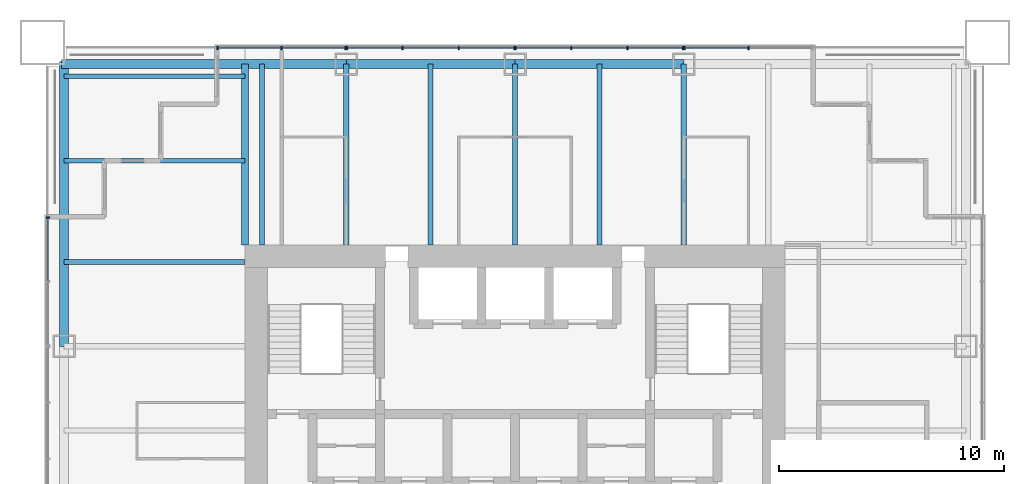
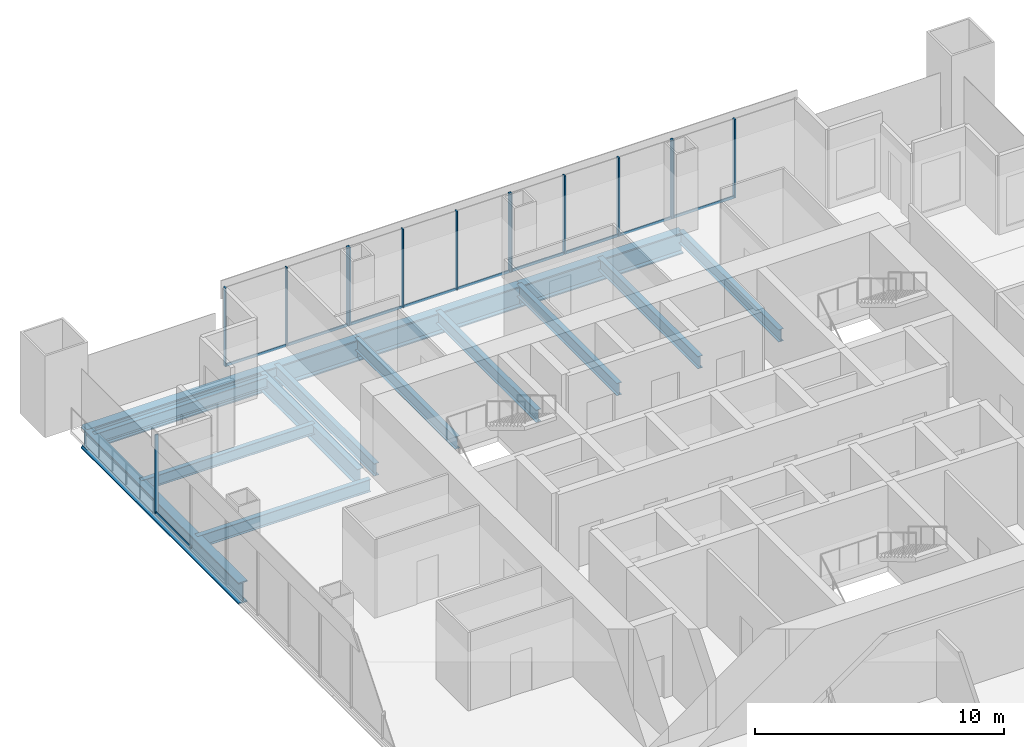
# One storey, part 6 of 14: 24 members, 14 beams, 5 elements without a shape of their own.
"""IFC4 building model written with IfcOpenShell, lengths in metres."""

from ifc_helpers import new_model, si_unit, direction, frame, origin, origin_2d, place, context, subcontext, project, spatial, rectangle, i_section, extrude, material, material_profile, profile_set, type_object, element, aggregate, save


model = new_model("IFC4")

# Units and contexts
model_context = context("Model", 3, precision=1e-05, world=origin(), true_north=direction((0.0, 1.0)))
body_context = subcontext(model_context, "Body", "Model", "MODEL_VIEW")
ifc_project = project(units=[si_unit("LENGTHUNIT", "METRE"), si_unit("AREAUNIT", "SQUARE_METRE"), si_unit("VOLUMEUNIT", "CUBIC_METRE"), si_unit("PLANEANGLEUNIT", "RADIAN"), si_unit("MASSUNIT", "GRAM", prefix="KILO")], contexts=[model_context])

# Site, building, storey
site_placement = place(None, origin())
site = spatial("IfcSite", under=ifc_project, at=site_placement, CompositionType="ELEMENT")
building_placement = place(site_placement, origin())
building = spatial("IfcBuilding", under=site, at=building_placement, Name="Tarangal Relay Tower", CompositionType="ELEMENT")
storey_placement = place(building_placement, frame((0.0, 0.0, 291.89990234375)))
storey = spatial("IfcBuildingStorey", under=building, at=storey_placement, Name="L64", CompositionType="ELEMENT", Elevation=291.89990234375)

# Beams
ifc_material_1 = material(Name="Steel ASTM A992", Category="steel")
ifc_material_profile_1 = material_profile(ifc_material_1, i_section(OverallWidth=0.209228515625, OverallDepth=0.533447265625, WebThickness=0.01025390625, FlangeThickness=0.015625, at=origin_2d()), Name="W21X62")
ifc_profile_set_1 = profile_set([ifc_material_profile_1], Name="Steel ASTM A992")
beam_type_1 = type_object("IfcBeamType", Name="Corner beam W21X62", PredefinedType="JOIST", material=ifc_profile_set_1)
for number, where, z_axis, x_axis, name in (
    (1, (-12.0, 15.75, -0.41650390625), (-1.0, 0.0, 0.0), (0.0, -1.0, 0.0), "Corner beam CB12 W L64"),
    (2, (-12.0, 19.5, -0.41650390625), (-1.0, 0.0, 0.0), (0.0, -1.0, 0.0), "Corner beam CB12 W L64"),
):
    element("IfcBeam", number, at=place(storey_placement, frame(where, z_axis=z_axis, x_axis=x_axis)), inside=storey, type_object=beam_type_1, Name=name, PredefinedType="JOIST", context=body_context, shape_type="SweptSolid", body=[
        extrude(i_section(OverallWidth=0.209228515625, OverallDepth=0.533447265625, WebThickness=0.01025390625, FlangeThickness=0.015625, at=origin_2d()), origin(), (0.0, 0.0, 1.0), 8.0400390625),
    ])
ifc_material_profile_2 = material_profile(ifc_material_1, i_section(OverallWidth=0.2919921875, OverallDepth=0.8408203125, WebThickness=0.0146484375, FlangeThickness=0.021728515625, at=origin_2d()), Name="W33X130")
ifc_profile_set_2 = profile_set([ifc_material_profile_2], Name="Steel ASTM A992")
beam_type_2 = type_object("IfcBeamType", Name="Corner girder W33X130", PredefinedType="BEAM", material=ifc_profile_set_2)
beam_1_placement = place(storey_placement, frame((-12.0, 12.0, -0.5703125), z_axis=(0.0, 1.0, 0.0), x_axis=(-1.0, 0.0, 0.0)))
element("IfcBeam", 3, at=beam_1_placement, inside=storey, type_object=beam_type_2, Name="Corner girder CG5 W L64", PredefinedType="BEAM", context=body_context, shape_type="SweptSolid", body=[
    extrude(i_section(OverallWidth=0.2919921875, OverallDepth=0.8408203125, WebThickness=0.0146484375, FlangeThickness=0.021728515625, at=origin_2d()), origin(), (0.0, 0.0, 1.0), 8.0400390625),
])
ifc_material_profile_3 = material_profile(ifc_material_1, i_section(OverallWidth=0.41162109375, OverallDepth=1.049072265625, WebThickness=0.033935546875, FlangeThickness=0.059814453125, at=origin_2d()), Name="W40X431")
ifc_profile_set_3 = profile_set([ifc_material_profile_3], Name="Steel ASTM A992")
beam_type_3 = type_object("IfcBeamType", Name="Edge girder W40X431", PredefinedType="SPANDREL", material=ifc_profile_set_3)
beam_2_placement = place(storey_placement, frame((-20.14990234375, 20.0400390625, -0.67431640625), z_axis=(1.0, 0.0, 0.0), x_axis=(0.0, 1.0, 0.0)))
element("IfcBeam", 4, at=beam_2_placement, inside=storey, type_object=beam_type_3, Name="Edge girder EG1 N L64", PredefinedType="SPANDREL", context=body_context, shape_type="SweptSolid", body=[
    extrude(i_section(OverallWidth=0.41162109375, OverallDepth=1.049072265625, WebThickness=0.033935546875, FlangeThickness=0.059814453125, at=origin_2d()), origin(), (0.0, 0.0, 1.0), 12.64990234375),
])
for number, where, z_axis, x_axis, name in (
    (5, (-7.5, 20.0400390625, -0.67431640625), (1.0, 0.0, 0.0), (0.0, 1.0, 0.0), "Edge girder EG1 N L64"),
    (6, (0.0, 20.0400390625, -0.67431640625), (1.0, 0.0, 0.0), (0.0, 1.0, 0.0), "Edge girder EG1 N L64"),
):
    element("IfcBeam", number, at=place(storey_placement, frame(where, z_axis=z_axis, x_axis=x_axis)), inside=storey, type_object=beam_type_3, Name=name, PredefinedType="SPANDREL", context=body_context, shape_type="SweptSolid", body=[
        extrude(i_section(OverallWidth=0.41162109375, OverallDepth=1.049072265625, WebThickness=0.033935546875, FlangeThickness=0.059814453125, at=origin_2d()), origin(), (0.0, 0.0, 1.0), 7.5),
    ])
beam_3_placement = place(storey_placement, frame((-20.0400390625, 7.5, -0.67431640625), z_axis=(0.0, 1.0, 0.0), x_axis=(-1.0, 0.0, 0.0)))
element("IfcBeam", 7, at=beam_3_placement, inside=storey, type_object=beam_type_3, Name="Edge girder EG1 W L64", PredefinedType="SPANDREL", context=body_context, shape_type="SweptSolid", body=[
    extrude(i_section(OverallWidth=0.41162109375, OverallDepth=1.049072265625, WebThickness=0.033935546875, FlangeThickness=0.059814453125, at=origin_2d()), origin(), (0.0, 0.0, 1.0), 12.64990234375),
])
ifc_material_profile_4 = material_profile(ifc_material_1, i_section(OverallWidth=0.228271484375, OverallDepth=0.607177734375, WebThickness=0.01123046875, FlangeThickness=0.017333984375, at=origin_2d()), Name="W24X76")
ifc_profile_set_4 = profile_set([ifc_material_profile_4], Name="Steel ASTM A992")
beam_type_4 = type_object("IfcBeamType", Name="Floor beam W24X76", PredefinedType="BEAM", material=ifc_profile_set_4)
for number, where, z_axis, x_axis, name in (
    (8, (-11.25, 12.0, -0.453369140625), (0.0, 1.0, 0.0), (-1.0, 0.0, 0.0), "Floor beam RB5 N L64"),
    (9, (-7.5, 12.0, -0.453369140625), (0.0, 1.0, 0.0), (-1.0, 0.0, 0.0), "Floor beam RB5 N L64"),
    (10, (-3.75, 12.0, -0.453369140625), (0.0, 1.0, 0.0), (-1.0, 0.0, 0.0), "Floor beam RB5 N L64"),
    (11, (0.0, 12.0, -0.453369140625), (0.0, 1.0, 0.0), (-1.0, 0.0, 0.0), "Floor beam RB5 N L64"),
    (12, (3.75, 12.0, -0.453369140625), (0.0, 1.0, 0.0), (-1.0, 0.0, 0.0), "Floor beam RB5 N L64"),
    (13, (7.5, 12.0, -0.453369140625), (0.0, 1.0, 0.0), (-1.0, 0.0, 0.0), "Floor beam RB5 N L64"),
    (14, (-12.0, 11.25, -0.453369140625), (-1.0, 0.0, 0.0), (0.0, -1.0, 0.0), "Floor beam RB5 W L64"),
):
    element("IfcBeam", number, at=place(storey_placement, frame(where, z_axis=z_axis, x_axis=x_axis)), inside=storey, type_object=beam_type_4, Name=name, PredefinedType="BEAM", context=body_context, shape_type="SweptSolid", body=[
        extrude(i_section(OverallWidth=0.228271484375, OverallDepth=0.607177734375, WebThickness=0.01123046875, FlangeThickness=0.017333984375, at=origin_2d()), origin(), (0.0, 0.0, 1.0), 8.0400390625),
    ])

# Curtain wall, members
ifc_material_2 = material(Name="Unitised curtain wall, dark glass and black aluminium", Category="aluminium")
curtain_wall_type = type_object("IfcCurtainWallType", Name="Curtain wall CW-B", PredefinedType="USERDEFINED", material=ifc_material_2)
curtain_wall_1_placement = place(storey_placement, origin())
curtain_wall_1 = element("IfcCurtainWall", 15, at=curtain_wall_1_placement, inside=storey, type_object=curtain_wall_type, Name="Curtain wall CW-B N facade L64", ObjectType="UNITISED CURTAIN WALL", PredefinedType="USERDEFINED")
ifc_material_3 = material(Name="Black anodised aluminium mullion", Category="aluminium")
ifc_material_profile_5 = material_profile(ifc_material_3, rectangle(XDim=0.159912109375, YDim=0.06005859375, at=origin_2d()), Name="CW-BM 60X160")
ifc_profile_set_5 = profile_set([ifc_material_profile_5], Name="Black anodised aluminium mullion")
member_type_1 = type_object("IfcMemberType", Name="Mullion CW-B 60 x 160", PredefinedType="MULLION", material=ifc_profile_set_5)
member_1_placement = place(storey_placement, frame((-13.219970703125, 20.75, 0.0), z_axis=(0.0, 0.0, 1.0), x_axis=(0.0, 1.0, 0.0)))
member_1 = element("IfcMember", 16, at=member_1_placement, type_object=member_type_1, Name="CW-B mullion 1", PredefinedType="MULLION", context=body_context, shape_type="SweptSolid", body=[
    extrude(rectangle(XDim=0.159912109375, YDim=0.06005859375, at=origin_2d()), origin(), (0.0, 0.0, 1.0), 3.85009765625),
])
member_2_placement = place(storey_placement, frame((-10.375, 20.75, 0.0), z_axis=(0.0, 0.0, 1.0), x_axis=(0.0, 1.0, 0.0)))
member_2 = element("IfcMember", 17, at=member_2_placement, type_object=member_type_1, Name="CW-B mullion 2", PredefinedType="MULLION", context=body_context, shape_type="SweptSolid", body=[
    extrude(rectangle(XDim=0.159912109375, YDim=0.06005859375, at=origin_2d()), origin(), (0.0, 0.0, 1.0), 3.85009765625),
])
member_3_placement = place(storey_placement, frame((-7.530029296875, 20.75, 0.0), z_axis=(0.0, 0.0, 1.0), x_axis=(0.0, 1.0, 0.0)))
member_3 = element("IfcMember", 18, at=member_3_placement, type_object=member_type_1, Name="CW-B mullion 3", PredefinedType="MULLION", context=body_context, shape_type="SweptSolid", body=[
    extrude(rectangle(XDim=0.159912109375, YDim=0.06005859375, at=origin_2d()), origin(), (0.0, 0.0, 1.0), 3.85009765625),
])

curtain_wall_2_placement = place(storey_placement, origin())
curtain_wall_2 = element("IfcCurtainWall", 19, at=curtain_wall_2_placement, inside=storey, type_object=curtain_wall_type, Name="Curtain wall CW-B N facade L64", ObjectType="UNITISED CURTAIN WALL", PredefinedType="USERDEFINED")
member_4_placement = place(storey_placement, frame((-7.469970703125, 20.75, 0.0), z_axis=(0.0, 0.0, 1.0), x_axis=(0.0, 1.0, 0.0)))
member_4 = element("IfcMember", 20, at=member_4_placement, type_object=member_type_1, Name="CW-B mullion 1", PredefinedType="MULLION", context=body_context, shape_type="SweptSolid", body=[
    extrude(rectangle(XDim=0.159912109375, YDim=0.06005859375, at=origin_2d()), origin(), (0.0, 0.0, 1.0), 3.85009765625),
])
member_5_placement = place(storey_placement, frame((-5.0, 20.75, 0.0), z_axis=(0.0, 0.0, 1.0), x_axis=(0.0, 1.0, 0.0)))
member_5 = element("IfcMember", 21, at=member_5_placement, type_object=member_type_1, Name="CW-B mullion 2", PredefinedType="MULLION", context=body_context, shape_type="SweptSolid", body=[
    extrude(rectangle(XDim=0.159912109375, YDim=0.06005859375, at=origin_2d()), origin(), (0.0, 0.0, 1.0), 3.85009765625),
])
member_6_placement = place(storey_placement, frame((-2.5, 20.75, 0.0), z_axis=(0.0, 0.0, 1.0), x_axis=(0.0, 1.0, 0.0)))
member_6 = element("IfcMember", 22, at=member_6_placement, type_object=member_type_1, Name="CW-B mullion 3", PredefinedType="MULLION", context=body_context, shape_type="SweptSolid", body=[
    extrude(rectangle(XDim=0.159912109375, YDim=0.06005859375, at=origin_2d()), origin(), (0.0, 0.0, 1.0), 3.85009765625),
])
member_7_placement = place(storey_placement, frame((-0.030029296875, 20.75, 0.0), z_axis=(0.0, 0.0, 1.0), x_axis=(0.0, 1.0, 0.0)))
member_7 = element("IfcMember", 23, at=member_7_placement, type_object=member_type_1, Name="CW-B mullion 4", PredefinedType="MULLION", context=body_context, shape_type="SweptSolid", body=[
    extrude(rectangle(XDim=0.159912109375, YDim=0.06005859375, at=origin_2d()), origin(), (0.0, 0.0, 1.0), 3.85009765625),
])

curtain_wall_3_placement = place(storey_placement, origin())
curtain_wall_3 = element("IfcCurtainWall", 24, at=curtain_wall_3_placement, inside=storey, type_object=curtain_wall_type, Name="Curtain wall CW-B N facade L64", ObjectType="UNITISED CURTAIN WALL", PredefinedType="USERDEFINED")
member_8_placement = place(storey_placement, frame((0.030029296875, 20.75, 0.0), z_axis=(0.0, 0.0, 1.0), x_axis=(0.0, 1.0, 0.0)))
member_8 = element("IfcMember", 25, at=member_8_placement, type_object=member_type_1, Name="CW-B mullion 1", PredefinedType="MULLION", context=body_context, shape_type="SweptSolid", body=[
    extrude(rectangle(XDim=0.159912109375, YDim=0.06005859375, at=origin_2d()), origin(), (0.0, 0.0, 1.0), 3.85009765625),
])
member_9_placement = place(storey_placement, frame((2.5, 20.75, 0.0), z_axis=(0.0, 0.0, 1.0), x_axis=(0.0, 1.0, 0.0)))
member_9 = element("IfcMember", 26, at=member_9_placement, type_object=member_type_1, Name="CW-B mullion 2", PredefinedType="MULLION", context=body_context, shape_type="SweptSolid", body=[
    extrude(rectangle(XDim=0.159912109375, YDim=0.06005859375, at=origin_2d()), origin(), (0.0, 0.0, 1.0), 3.85009765625),
])
member_10_placement = place(storey_placement, frame((5.0, 20.75, 0.0), z_axis=(0.0, 0.0, 1.0), x_axis=(0.0, 1.0, 0.0)))
member_10 = element("IfcMember", 27, at=member_10_placement, type_object=member_type_1, Name="CW-B mullion 3", PredefinedType="MULLION", context=body_context, shape_type="SweptSolid", body=[
    extrude(rectangle(XDim=0.159912109375, YDim=0.06005859375, at=origin_2d()), origin(), (0.0, 0.0, 1.0), 3.85009765625),
])
member_11_placement = place(storey_placement, frame((7.469970703125, 20.75, 0.0), z_axis=(0.0, 0.0, 1.0), x_axis=(0.0, 1.0, 0.0)))
member_11 = element("IfcMember", 28, at=member_11_placement, type_object=member_type_1, Name="CW-B mullion 4", PredefinedType="MULLION", context=body_context, shape_type="SweptSolid", body=[
    extrude(rectangle(XDim=0.159912109375, YDim=0.06005859375, at=origin_2d()), origin(), (0.0, 0.0, 1.0), 3.85009765625),
])

curtain_wall_4_placement = place(storey_placement, origin())
curtain_wall_4 = element("IfcCurtainWall", 29, at=curtain_wall_4_placement, inside=storey, type_object=curtain_wall_type, Name="Curtain wall CW-B N facade L64", ObjectType="UNITISED CURTAIN WALL", PredefinedType="USERDEFINED")
member_12_placement = place(storey_placement, frame((7.530029296875, 20.75, 0.0), z_axis=(0.0, 0.0, 1.0), x_axis=(0.0, 1.0, 0.0)))
member_12 = element("IfcMember", 30, at=member_12_placement, type_object=member_type_1, Name="CW-B mullion 1", PredefinedType="MULLION", context=body_context, shape_type="SweptSolid", body=[
    extrude(rectangle(XDim=0.159912109375, YDim=0.06005859375, at=origin_2d()), origin(), (0.0, 0.0, 1.0), 3.85009765625),
])
member_13_placement = place(storey_placement, frame((10.375, 20.75, 0.0), z_axis=(0.0, 0.0, 1.0), x_axis=(0.0, 1.0, 0.0)))
member_13 = element("IfcMember", 31, at=member_13_placement, type_object=member_type_1, Name="CW-B mullion 2", PredefinedType="MULLION", context=body_context, shape_type="SweptSolid", body=[
    extrude(rectangle(XDim=0.159912109375, YDim=0.06005859375, at=origin_2d()), origin(), (0.0, 0.0, 1.0), 3.85009765625),
])

# Curtain wall, member
curtain_wall_5_placement = place(storey_placement, origin())
curtain_wall_5 = element("IfcCurtainWall", 32, at=curtain_wall_5_placement, inside=storey, type_object=curtain_wall_type, Name="Curtain wall CW-B W facade L64", ObjectType="UNITISED CURTAIN WALL", PredefinedType="USERDEFINED")
member_14_placement = place(storey_placement, frame((-20.75, 13.219970703125, 0.0), z_axis=(0.0, 0.0, 1.0), x_axis=(-1.0, 0.0, 0.0)))
member_14 = element("IfcMember", 33, at=member_14_placement, type_object=member_type_1, Name="CW-B mullion 3", PredefinedType="MULLION", context=body_context, shape_type="SweptSolid", body=[
    extrude(rectangle(XDim=0.159912109375, YDim=0.06005859375, at=origin_2d()), origin(), (0.0, 0.0, 1.0), 3.85009765625),
])

# Member
ifc_material_4 = material(Name="Black anodised aluminium transom", Category="aluminium")
ifc_material_profile_6 = material_profile(ifc_material_4, rectangle(XDim=0.06005859375, YDim=0.1298828125, at=origin_2d()), Name="CW-BT 60X130")
ifc_profile_set_6 = profile_set([ifc_material_profile_6], Name="Black anodised aluminium transom")
member_type_2 = type_object("IfcMemberType", Name="Transom CW-B 60 x 130", PredefinedType="USERDEFINED", material=ifc_profile_set_6)
member_15_placement = place(storey_placement, frame((-13.18994140625, 20.75, 0.030029296875), z_axis=(1.0, 0.0, 0.0), x_axis=(0.0, 1.0, 0.0)))
member_15 = element("IfcMember", 34, at=member_15_placement, type_object=member_type_2, Name="CW-B transom 1.1", ObjectType="TRANSOM", PredefinedType="USERDEFINED", context=body_context, shape_type="SweptSolid", body=[
    extrude(rectangle(XDim=0.06005859375, YDim=0.1298828125, at=origin_2d()), origin(), (0.0, 0.0, 1.0), 2.784912109375),
])

member_16_placement = place(storey_placement, frame((-10.344970703125, 20.75, 0.030029296875), z_axis=(1.0, 0.0, 0.0), x_axis=(0.0, 1.0, 0.0)))
member_16 = element("IfcMember", 35, at=member_16_placement, type_object=member_type_2, Name="CW-B transom 2.1", ObjectType="TRANSOM", PredefinedType="USERDEFINED", context=body_context, shape_type="SweptSolid", body=[
    extrude(rectangle(XDim=0.06005859375, YDim=0.1298828125, at=origin_2d()), origin(), (0.0, 0.0, 1.0), 2.784912109375),
])

aggregate(curtain_wall_1, [member_1, member_2, member_3, member_15, member_16])

member_17_placement = place(storey_placement, frame((-7.43994140625, 20.75, 0.030029296875), z_axis=(1.0, 0.0, 0.0), x_axis=(0.0, 1.0, 0.0)))
member_17 = element("IfcMember", 36, at=member_17_placement, type_object=member_type_2, Name="CW-B transom 1.1", ObjectType="TRANSOM", PredefinedType="USERDEFINED", context=body_context, shape_type="SweptSolid", body=[
    extrude(rectangle(XDim=0.06005859375, YDim=0.1298828125, at=origin_2d()), origin(), (0.0, 0.0, 1.0), 2.409912109375),
])

member_18_placement = place(storey_placement, frame((-4.969970703125, 20.75, 0.030029296875), z_axis=(1.0, 0.0, 0.0), x_axis=(0.0, 1.0, 0.0)))
member_18 = element("IfcMember", 37, at=member_18_placement, type_object=member_type_2, Name="CW-B transom 2.1", ObjectType="TRANSOM", PredefinedType="USERDEFINED", context=body_context, shape_type="SweptSolid", body=[
    extrude(rectangle(XDim=0.06005859375, YDim=0.1298828125, at=origin_2d()), origin(), (0.0, 0.0, 1.0), 2.43994140625),
])

member_19_placement = place(storey_placement, frame((-2.469970703125, 20.75, 0.030029296875), z_axis=(1.0, 0.0, 0.0), x_axis=(0.0, 1.0, 0.0)))
member_19 = element("IfcMember", 38, at=member_19_placement, type_object=member_type_2, Name="CW-B transom 3.1", ObjectType="TRANSOM", PredefinedType="USERDEFINED", context=body_context, shape_type="SweptSolid", body=[
    extrude(rectangle(XDim=0.06005859375, YDim=0.1298828125, at=origin_2d()), origin(), (0.0, 0.0, 1.0), 2.409912109375),
])

aggregate(curtain_wall_2, [member_4, member_5, member_6, member_7, member_17, member_18, member_19])

member_20_placement = place(storey_placement, frame((0.06005859375, 20.75, 0.030029296875), z_axis=(1.0, 0.0, 0.0), x_axis=(0.0, 1.0, 0.0)))
member_20 = element("IfcMember", 39, at=member_20_placement, type_object=member_type_2, Name="CW-B transom 1.1", ObjectType="TRANSOM", PredefinedType="USERDEFINED", context=body_context, shape_type="SweptSolid", body=[
    extrude(rectangle(XDim=0.06005859375, YDim=0.1298828125, at=origin_2d()), origin(), (0.0, 0.0, 1.0), 2.409912109375),
])

member_21_placement = place(storey_placement, frame((2.530029296875, 20.75, 0.030029296875), z_axis=(1.0, 0.0, 0.0), x_axis=(0.0, 1.0, 0.0)))
member_21 = element("IfcMember", 40, at=member_21_placement, type_object=member_type_2, Name="CW-B transom 2.1", ObjectType="TRANSOM", PredefinedType="USERDEFINED", context=body_context, shape_type="SweptSolid", body=[
    extrude(rectangle(XDim=0.06005859375, YDim=0.1298828125, at=origin_2d()), origin(), (0.0, 0.0, 1.0), 2.43994140625),
])

member_22_placement = place(storey_placement, frame((5.030029296875, 20.75, 0.030029296875), z_axis=(1.0, 0.0, 0.0), x_axis=(0.0, 1.0, 0.0)))
member_22 = element("IfcMember", 41, at=member_22_placement, type_object=member_type_2, Name="CW-B transom 3.1", ObjectType="TRANSOM", PredefinedType="USERDEFINED", context=body_context, shape_type="SweptSolid", body=[
    extrude(rectangle(XDim=0.06005859375, YDim=0.1298828125, at=origin_2d()), origin(), (0.0, 0.0, 1.0), 2.409912109375),
])

aggregate(curtain_wall_3, [member_8, member_9, member_10, member_11, member_20, member_21, member_22])

member_23_placement = place(storey_placement, frame((7.56005859375, 20.75, 0.030029296875), z_axis=(1.0, 0.0, 0.0), x_axis=(0.0, 1.0, 0.0)))
member_23 = element("IfcMember", 42, at=member_23_placement, type_object=member_type_2, Name="CW-B transom 1.1", ObjectType="TRANSOM", PredefinedType="USERDEFINED", context=body_context, shape_type="SweptSolid", body=[
    extrude(rectangle(XDim=0.06005859375, YDim=0.1298828125, at=origin_2d()), origin(), (0.0, 0.0, 1.0), 2.784912109375),
])

aggregate(curtain_wall_4, [member_12, member_13, member_23])

member_24_placement = place(storey_placement, frame((-20.75, 10.405029296875, 0.030029296875), z_axis=(0.0, 1.0, 0.0), x_axis=(-1.0, 0.0, 0.0)))
member_24 = element("IfcMember", 43, at=member_24_placement, type_object=member_type_2, Name="CW-B transom 2.1", ObjectType="TRANSOM", PredefinedType="USERDEFINED", context=body_context, shape_type="SweptSolid", body=[
    extrude(rectangle(XDim=0.06005859375, YDim=0.1298828125, at=origin_2d()), origin(), (0.0, 0.0, 1.0), 2.784912109375),
])

aggregate(curtain_wall_5, [member_14, member_24])

save(model, "model.ifc")
